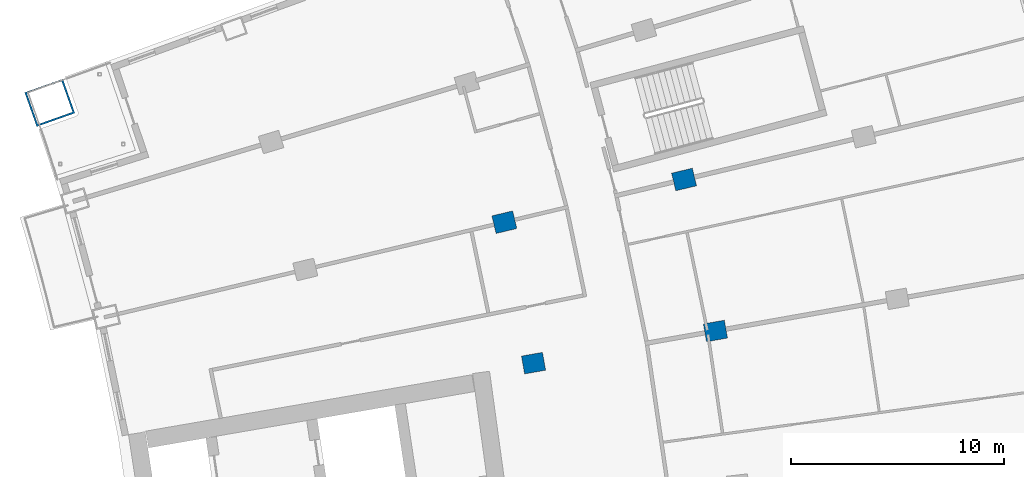
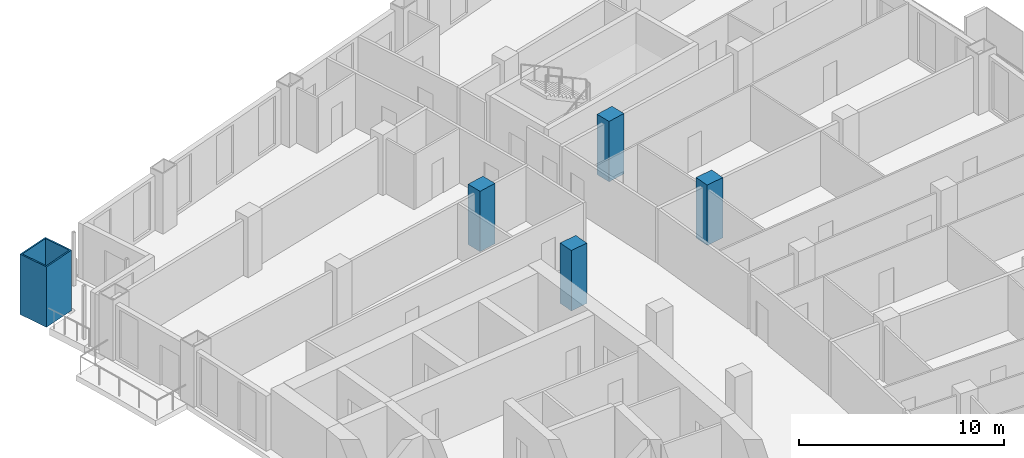
# One storey, part 8 of 25: 5 columns.
"""IFC4 building model written with IfcOpenShell, lengths in metres."""

from ifc_helpers import new_model, si_unit, direction, frame, origin, origin_2d, place, context, subcontext, project, spatial, rectangle, hollow_rectangle, extrude, material, material_profile, profile_set, type_object, element, save


model = new_model("IFC4")

# Units and contexts
model_context = context("Model", 3, precision=1e-05, world=origin(), true_north=direction((0.0, 1.0)))
body_context = subcontext(model_context, "Body", "Model", "MODEL_VIEW")
ifc_project = project(units=[si_unit("LENGTHUNIT", "METRE"), si_unit("AREAUNIT", "SQUARE_METRE"), si_unit("VOLUMEUNIT", "CUBIC_METRE"), si_unit("PLANEANGLEUNIT", "RADIAN"), si_unit("MASSUNIT", "GRAM", prefix="KILO")], contexts=[model_context])

# Site, building, storey
site_placement = place(None, origin())
site = spatial("IfcSite", under=ifc_project, at=site_placement, CompositionType="ELEMENT")
building_placement = place(site_placement, origin())
building = spatial("IfcBuilding", under=site, at=building_placement, Name="Alderwake Tower", CompositionType="ELEMENT")
storey_placement = place(building_placement, frame((0.0, 0.0, 86.0)))
storey = spatial("IfcBuildingStorey", under=building, at=storey_placement, Name="L20", CompositionType="ELEMENT", Elevation=86.0)

# Columns
ifc_material_1 = material(Name="Concrete C70/85", Category="concrete")
ifc_material_profile_1 = material_profile(ifc_material_1, rectangle(XDim=0.85009765625, YDim=1.0, at=origin_2d()), Name="RC 1000X850")
ifc_profile_set_1 = profile_set([ifc_material_profile_1], Name="Concrete C70/85")
column_type_1 = type_object("IfcColumnType", Name="Interior column Z2", PredefinedType="COLUMN", material=ifc_profile_set_1)
for number, where, z_axis, x_axis, name in (
    (1, (34.03125, 81.16162109375, 0.0), (0.0, 0.0, 1.0), (-0.174108800747, 0.984726421654, 0.0), "Column R10-C2"),
    (2, (42.565673828125, 82.670654296875, 0.0), (0.0, 0.0, 1.0), (-0.174108800747, 0.984726421654, 0.0), "Column R10-C3"),
    (3, (32.661865234375, 87.775390625, 0.0), (0.0, 0.0, 1.0), (-0.231221547198, 0.972901123502, 0.0), "Column R11-C2"),
    (4, (41.09375, 89.779296875, 0.0), (0.0, 0.0, 1.0), (-0.231221547198, 0.972901123502, 0.0), "Column R11-C3"),
):
    element("IfcColumn", number, at=place(storey_placement, frame(where, z_axis=z_axis, x_axis=x_axis)), inside=storey, type_object=column_type_1, Name=name, PredefinedType="COLUMN", context=body_context, shape_type="SweptSolid", body=[
        extrude(rectangle(XDim=0.85009765625, YDim=1.0, at=origin_2d()), origin(), (0.0, 0.0, 1.0), 3.60009765625),
    ])
ifc_material_2 = material(Name="Steel ASTM A572 Grade 50 concrete filled C70/85", Category="concrete")
ifc_material_profile_2 = material_profile(ifc_material_2, hollow_rectangle(XDim=1.699951171875, YDim=1.89990234375, WallThickness=0.0849609375, at=origin_2d()), Name="BOX 1900X1700X85")
ifc_profile_set_2 = profile_set([ifc_material_profile_2], Name="Steel ASTM A572 Grade 50 concrete filled C70/85")
column_type_2 = type_object("IfcColumnType", Name="Mega column Z2", PredefinedType="COLUMN", material=ifc_profile_set_2)
column_placement = place(storey_placement, frame((11.330810546875, 93.377197265625, 0.0), z_axis=(0.0, 0.0, 1.0), x_axis=(-0.334130947791, 0.942526662609, 0.0)))
element("IfcColumn", 5, at=column_placement, inside=storey, type_object=column_type_2, Name="Column R13-C0", PredefinedType="COLUMN", context=body_context, shape_type="SweptSolid", body=[
    extrude(hollow_rectangle(XDim=1.699951171875, YDim=1.89990234375, WallThickness=0.0849609375, at=origin_2d()), origin(), (0.0, 0.0, 1.0), 3.60009765625),
])

save(model, "model.ifc")
